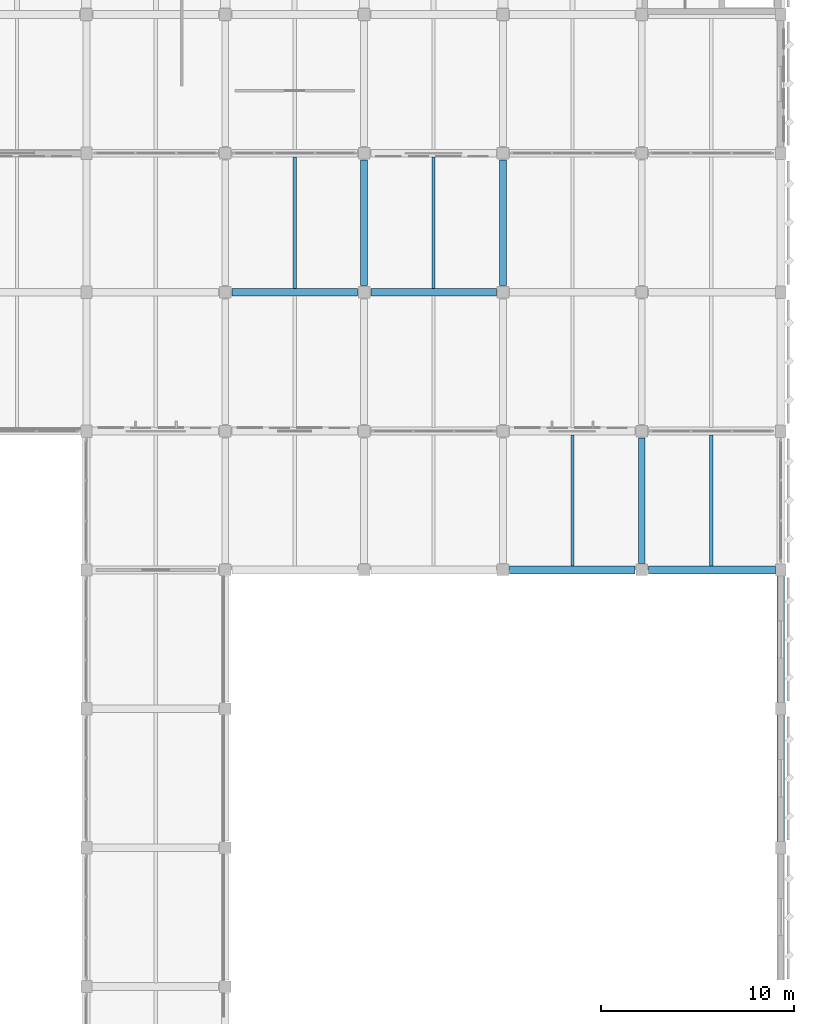
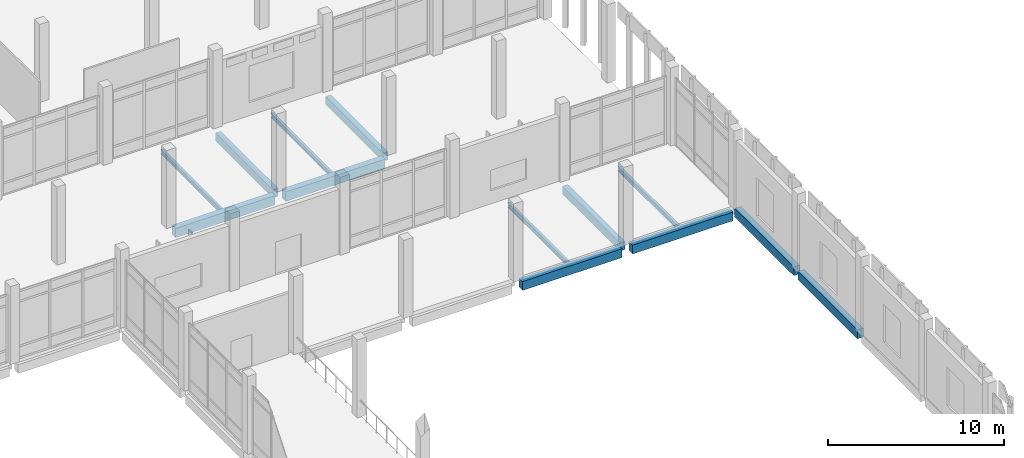
# One storey, part 120 of 180: 13 beams.
"""IFC4 building model written with IfcOpenShell, lengths in metres."""

from ifc_helpers import new_model, si_unit, direction, frame, origin, origin_2d, place, context, subcontext, project, spatial, rectangle, i_section, extrude, material, material_profile, profile_set, type_object, element, save


model = new_model("IFC4")

# Units and contexts
model_context = context("Model", 3, precision=1e-05, world=origin(), true_north=direction((0.0, 1.0)))
body_context = subcontext(model_context, "Body", "Model", "MODEL_VIEW")
ifc_project = project(units=[si_unit("LENGTHUNIT", "METRE"), si_unit("AREAUNIT", "SQUARE_METRE"), si_unit("VOLUMEUNIT", "CUBIC_METRE"), si_unit("PLANEANGLEUNIT", "RADIAN"), si_unit("MASSUNIT", "GRAM", prefix="KILO")], contexts=[model_context])

# Site, building, storey
site_placement = place(None, origin())
site = spatial("IfcSite", under=ifc_project, at=site_placement, CompositionType="ELEMENT")
building_placement = place(site_placement, origin())
building = spatial("IfcBuilding", under=site, at=building_placement, Name="Lusvemor Sports Hall", CompositionType="ELEMENT")
storey_placement = place(building_placement, frame((0.0, 0.0, 5.39990234375)))
storey = spatial("IfcBuildingStorey", under=building, at=storey_placement, Name="L01", CompositionType="ELEMENT", Elevation=5.39990234375)

# Beams
ifc_material_1 = material(Name="Concrete C40/50", Category="concrete")
ifc_material_profile_1 = material_profile(ifc_material_1, rectangle(XDim=0.35009765625, YDim=0.550048828125, at=origin_2d()), Name="RC350x550")
ifc_profile_set_1 = profile_set([ifc_material_profile_1], Name="Concrete C40/50")
beam_type_1 = type_object("IfcBeamType", Name="BEAM_RC_550", PredefinedType="BEAM", material=ifc_profile_set_1)
for number, where, z_axis, x_axis, name in (
    (1, (147.60009765625, 90.345947265625, -0.544921875), (0.0, 1.0, 0.0), (-1.0, 0.0, 0.0), "Beam L01 17:M-N"),
    (2, (154.800048828125, 90.345947265625, -0.544921875), (0.0, 1.0, 0.0), (-1.0, 0.0, 0.0), "Beam L01 18:M-N"),
    (3, (162.0, 75.946044921875, -0.534912109375), (0.0, 1.0, 0.0), (-1.0, 0.0, 0.0), "Beam L01 19:K-L"),
):
    element("IfcBeam", number, at=place(storey_placement, frame(where, z_axis=z_axis, x_axis=x_axis)), inside=storey, type_object=beam_type_1, Name=name, PredefinedType="BEAM", context=body_context, shape_type="SweptSolid", body=[
        extrude(rectangle(XDim=0.35009765625, YDim=0.550048828125, at=origin_2d()), origin(), (0.0, 0.0, 1.0), 6.508056640625),
    ])
ifc_material_2 = material(Name="Concrete C40/50", Category="concrete")
ifc_material_profile_2 = material_profile(ifc_material_2, rectangle(XDim=0.39990234375, YDim=0.64990234375, at=origin_2d()), Name="RC400x650")
ifc_profile_set_2 = profile_set([ifc_material_profile_2], Name="Concrete C40/50")
beam_type_2 = type_object("IfcBeamType", Name="BEAM_RC_650", PredefinedType="BEAM", material=ifc_profile_set_2)
beam_1_placement = place(storey_placement, frame((140.74609375, 90.0, -0.594970703125), z_axis=(1.0, 0.0, 0.0), x_axis=(0.0, 1.0, 0.0)))
element("IfcBeam", 4, at=beam_1_placement, inside=storey, type_object=beam_type_2, Name="Beam L01 M:16-17", PredefinedType="BEAM", context=body_context, shape_type="SweptSolid", body=[
    extrude(rectangle(XDim=0.39990234375, YDim=0.64990234375, at=origin_2d()), origin(), (0.0, 0.0, 1.0), 6.5078125),
])
beam_2_placement = place(storey_placement, frame((147.946044921875, 90.0, -0.594970703125), z_axis=(1.0, 0.0, 0.0), x_axis=(0.0, 1.0, 0.0)))
element("IfcBeam", 5, at=beam_2_placement, inside=storey, type_object=beam_type_2, Name="Beam L01 M:17-18", PredefinedType="BEAM", context=body_context, shape_type="SweptSolid", body=[
    extrude(rectangle(XDim=0.39990234375, YDim=0.64990234375, at=origin_2d()), origin(), (0.0, 0.0, 1.0), 6.508056640625),
])
ifc_material_3 = material(Name="Steel S355", Category="steel")
ifc_material_profile_3 = material_profile(ifc_material_3, i_section(OverallWidth=0.1669921875, OverallDepth=0.31689453125, WebThickness=0.007568359375, FlangeThickness=0.01318359375, FilletRadius=0.014892578125, at=origin_2d()), Name="W310x52.0")
ifc_profile_set_3 = profile_set([ifc_material_profile_3], Name="Steel S355")
beam_type_3 = type_object("IfcBeamType", Name="JOIST_ST_310M", PredefinedType="JOIST", material=ifc_profile_set_3)
for number, where, z_axis, x_axis, name in (
    (6, (144.0, 90.196044921875, -0.432373046875), (0.0, 1.0, 0.0), (-1.0, 0.0, 0.0), "Secondary Joist L01 16-17/M-N #1"),
    (7, (151.199951171875, 90.196044921875, -0.432373046875), (0.0, 1.0, 0.0), (-1.0, 0.0, 0.0), "Secondary Joist L01 17-18/M-N #1"),
):
    element("IfcBeam", number, at=place(storey_placement, frame(where, z_axis=z_axis, x_axis=x_axis)), inside=storey, type_object=beam_type_3, Name=name, PredefinedType="JOIST", context=body_context, shape_type="SweptSolid", body=[
        extrude(i_section(OverallWidth=0.1669921875, OverallDepth=0.31689453125, WebThickness=0.007568359375, FlangeThickness=0.01318359375, FilletRadius=0.014892578125, at=origin_2d()), origin(), (0.0, 0.0, 1.0), 6.807861328125),
    ])
for number, where, z_axis, x_axis, name in (
    (8, (158.39990234375, 75.7958984375, -0.42236328125), (0.0, 1.0, 0.0), (-1.0, 0.0, 0.0), "Secondary Joist L01 18-19/K-L #1"),
    (9, (165.60009765625, 75.7958984375, -0.42236328125), (0.0, 1.0, 0.0), (-1.0, 0.0, 0.0), "Secondary Joist L01 19-20/K-L #1"),
):
    element("IfcBeam", number, at=place(storey_placement, frame(where, z_axis=z_axis, x_axis=x_axis)), inside=storey, type_object=beam_type_3, Name=name, PredefinedType="JOIST", context=body_context, shape_type="SweptSolid", body=[
        extrude(i_section(OverallWidth=0.1669921875, OverallDepth=0.31689453125, WebThickness=0.007568359375, FlangeThickness=0.01318359375, FilletRadius=0.014892578125, at=origin_2d()), origin(), (0.0, 0.0, 1.0), 6.80810546875),
    ])
ifc_material_4 = material(Name="Concrete C40/50", Category="concrete")
ifc_material_profile_4 = material_profile(ifc_material_4, rectangle(XDim=0.39990234375, YDim=0.610107421875, at=origin_2d()), Name="RC400x610")
ifc_profile_set_4 = profile_set([ifc_material_profile_4], Name="Concrete C40/50")
beam_type_4 = type_object("IfcBeamType", Name="SPAND_EXT_650", PredefinedType="SPANDREL", material=ifc_profile_set_4)
beam_3_placement = place(storey_placement, frame((155.14599609375, 75.60009765625, -0.56494140625), z_axis=(1.0, 0.0, 0.0), x_axis=(0.0, 1.0, 0.0)))
element("IfcBeam", 10, at=beam_3_placement, inside=storey, type_object=beam_type_4, Name="Beam L01 K:18-19", PredefinedType="SPANDREL", context=body_context, shape_type="SweptSolid", body=[
    extrude(rectangle(XDim=0.39990234375, YDim=0.610107421875, at=origin_2d()), origin(), (0.0, 0.0, 1.0), 6.508056640625),
])
beam_4_placement = place(storey_placement, frame((162.345947265625, 75.60009765625, -0.56494140625), z_axis=(1.0, 0.0, 0.0), x_axis=(0.0, 1.0, 0.0)))
element("IfcBeam", 11, at=beam_4_placement, inside=storey, type_object=beam_type_4, Name="Beam L01 K:19-20", PredefinedType="SPANDREL", context=body_context, shape_type="SweptSolid", body=[
    extrude(rectangle(XDim=0.39990234375, YDim=0.610107421875, at=origin_2d()), origin(), (0.0, 0.0, 1.0), 6.578125),
])
beam_5_placement = place(storey_placement, frame((169.199951171875, 61.449951171875, -0.304931640625), z_axis=(0.0, 1.0, 0.0), x_axis=(-1.0, 0.0, 0.0)))
element("IfcBeam", 12, at=beam_5_placement, inside=storey, type_object=beam_type_4, Name="Climbing Hall East Girt L01-3", PredefinedType="SPANDREL", context=body_context, shape_type="SweptSolid", body=[
    extrude(rectangle(XDim=0.39990234375, YDim=0.610107421875, at=origin_2d()), origin(), (0.0, 0.0, 1.0), 6.699951171875),
])
beam_6_placement = place(storey_placement, frame((169.199951171875, 68.64990234375, -0.304931640625), z_axis=(0.0, 1.0, 0.0), x_axis=(-1.0, 0.0, 0.0)))
element("IfcBeam", 13, at=beam_6_placement, inside=storey, type_object=beam_type_4, Name="Climbing Hall East Girt L01-4", PredefinedType="SPANDREL", context=body_context, shape_type="SweptSolid", body=[
    extrude(rectangle(XDim=0.39990234375, YDim=0.610107421875, at=origin_2d()), origin(), (0.0, 0.0, 1.0), 6.7001953125),
])

save(model, "model.ifc")
